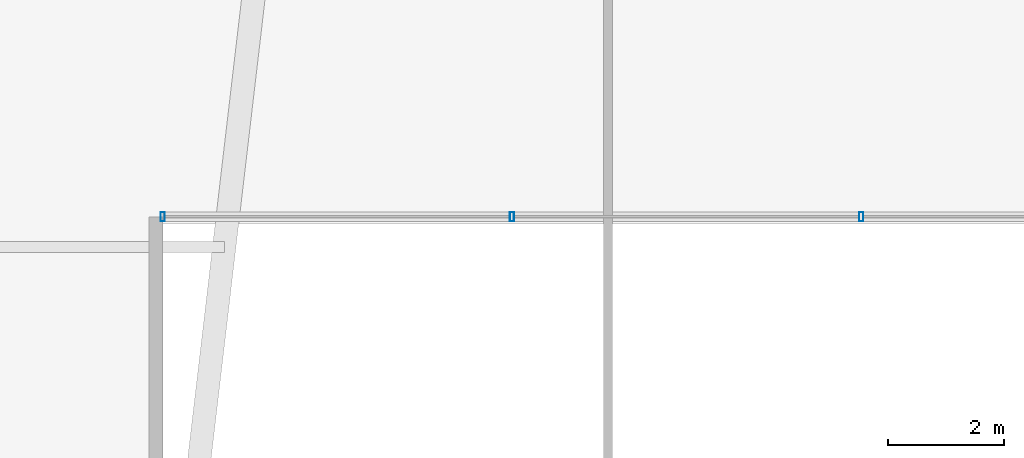
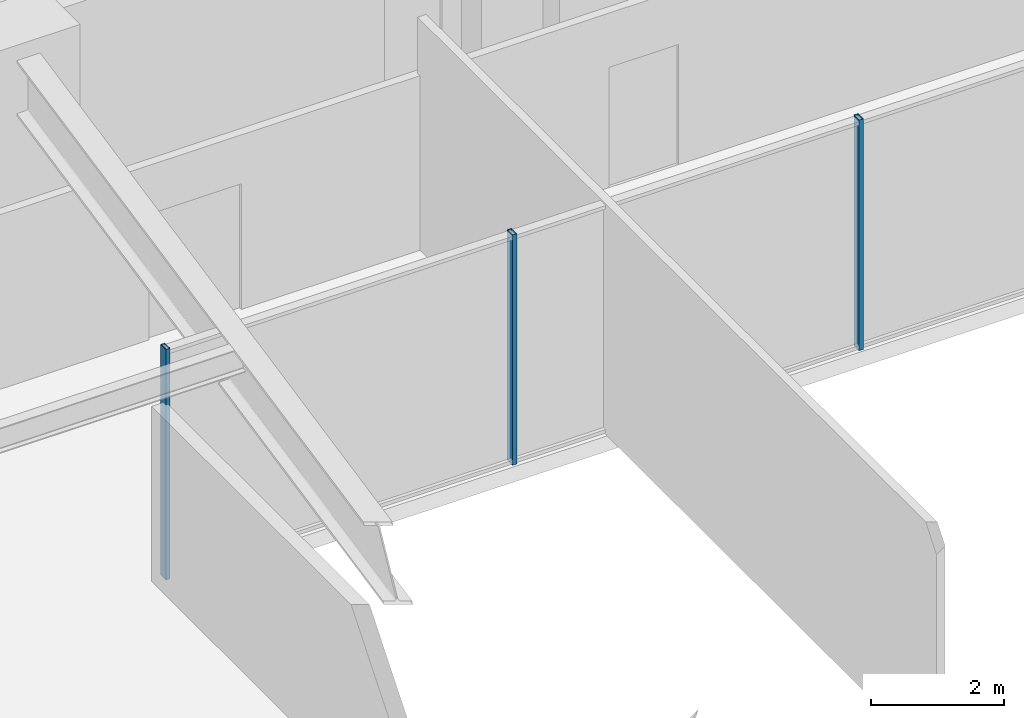
# One storey, part 10 of 47: 3 members, 1 element without a shape of its own.
"""IFC4 building model written with IfcOpenShell, lengths in metres."""

import ifcopenshell
import ifcopenshell.guid

model = None  # the IFC model being written
_history = None  # IfcOwnerHistory: only IFC2X3 demands one
_inside = {}  # id of a spatial element -> (the spatial element, [elements in it])
_under = {}  # id of a project, library or spatial element -> (it, [spatial elements below it])
_declared = {}  # id of a project -> (the project, [libraries it declares])
_typed = {}  # id of a type object -> (the type object, [elements of that type])
_made_of = {}  # id of a material, layer set ... -> (it, [elements and type objects made of it])


def new_model(schema):
    """Start an empty IFC model of exactly this schema.

    Asked for "IFC4X3", IfcOpenShell would pick the latest addendum, in which some entities
    have other attributes; the version numbers below select the first issue.
    IFC2X3 requires an IfcOwnerHistory on every rooted entity: one is made here for all.
    """
    global model, _history
    if schema == "IFC4X3":
        model = ifcopenshell.file(schema_version=(4, 3, 0, 0))
    else:
        model = ifcopenshell.file(schema=schema)
    _inside.clear()
    _under.clear()
    _declared.clear()
    _typed.clear()
    _made_of.clear()
    _history = None
    if model.schema == "IFC2X3":
        org = make("IfcOrganization", Name="unknown")
        user = make(
            "IfcPersonAndOrganization",
            ThePerson=make("IfcPerson", FamilyName="unknown"),
            TheOrganization=org,
        )
        app = make(
            "IfcApplication",
            ApplicationDeveloper=org,
            Version="unknown",
            ApplicationFullName="unknown",
            ApplicationIdentifier="unknown",
        )
        _history = make(
            "IfcOwnerHistory",
            OwningUser=user,
            OwningApplication=app,
            ChangeAction="ADDED",
            CreationDate=0,
        )
    return model


def make(cls, **values):
    """One entity of the class cls with the attributes given. An attribute that is None is left unset."""
    return model.create_entity(
        cls, **{name: value for name, value in values.items() if value is not None}
    )


def rooted(cls, **values):
    """An entity with a GlobalId (a new one), such as an element, a storey or a relation."""
    return make(cls, GlobalId=ifcopenshell.guid.new(), OwnerHistory=_history, **values)


def si_unit(unit_type, name, prefix=None):
    """IfcSIUnit, for example si_unit("LENGTHUNIT", "METRE", prefix="MILLI")."""
    return make("IfcSIUnit", UnitType=unit_type, Prefix=prefix, Name=name)


def assignment(units):
    """IfcUnitAssignment: the units of a project."""
    return None if units is None else make("IfcUnitAssignment", Units=units)


def point(xyz):
    """IfcCartesianPoint."""
    return None if xyz is None else make("IfcCartesianPoint", Coordinates=xyz)


def direction(xyz):
    """IfcDirection."""
    return None if xyz is None else make("IfcDirection", DirectionRatios=xyz)


def frame(location, z_axis=None, x_axis=None):
    """IfcAxis2Placement3D, a coordinate frame: its origin and axes. An axis left out is left unset."""
    return make(
        "IfcAxis2Placement3D",
        Location=point(location),
        Axis=direction(z_axis),
        RefDirection=direction(x_axis),
    )


def frame_2d(location, x_axis=None):
    """IfcAxis2Placement2D, a coordinate frame in the plane: its origin and x axis."""
    return make(
        "IfcAxis2Placement2D", Location=point(location), RefDirection=direction(x_axis)
    )


def origin():
    """The frame at (0, 0, 0) with its axes left unset."""
    return frame((0.0, 0.0, 0.0))


def origin_2d():
    """The frame at (0, 0) in the plane with its x axis left unset."""
    return frame_2d((0.0, 0.0))


def place(relative_to, where):
    """IfcLocalPlacement: puts the frame where relative to a parent placement (None: the world)."""
    return make(
        "IfcLocalPlacement", PlacementRelTo=relative_to, RelativePlacement=where
    )


def context(
    kind, dimensions, precision=None, world=None, true_north=None, identifier=None
):
    """IfcGeometricRepresentationContext, for example the 3D "Model" context."""
    return make(
        "IfcGeometricRepresentationContext",
        ContextIdentifier=identifier,
        ContextType=kind,
        CoordinateSpaceDimension=dimensions,
        Precision=precision,
        WorldCoordinateSystem=world,
        TrueNorth=true_north,
    )


def subcontext(parent, identifier, kind, view, scale=None):
    """IfcGeometricRepresentationSubContext, for example "Body" below "Model"."""
    return make(
        "IfcGeometricRepresentationSubContext",
        ContextIdentifier=identifier,
        ContextType=kind,
        ParentContext=parent,
        TargetScale=scale,
        TargetView=view,
    )


def project(units=None, contexts=None):
    """IfcProject with its units and contexts."""
    return rooted(
        "IfcProject",
        Name="project",
        RepresentationContexts=contexts,
        UnitsInContext=assignment(units),
    )


def spatial(cls, under=None, at=None, **own):
    """A site, building, storey or space (cls), placed at a placement, below another one or the project."""
    s = rooted(cls, ObjectPlacement=at, **own)
    if under is not None:
        _under.setdefault(under.id(), (under, []))[1].append(s)
    return s


def profile(cls, at=None, kind="AREA", **sizes):
    """A parametric profile (cls). Its sizes go by their IFC names, for example OverallWidth=200.0."""
    return make(cls, ProfileType=kind, Position=at, **sizes)


def hollow_rectangle(**sizes):
    """IfcRectangleHollowProfileDef."""
    return profile("IfcRectangleHollowProfileDef", **sizes)


def extrude(swept, where, along, depth):
    """IfcExtrudedAreaSolid: the profile swept, set in the frame where, extruded along a direction by depth."""
    return make(
        "IfcExtrudedAreaSolid",
        SweptArea=swept,
        Position=where,
        ExtrudedDirection=direction(along),
        Depth=depth,
    )


def shape(context_of_items, identifier, shape_type, items):
    """IfcShapeRepresentation: the items that make up one representation, for example the "Body"."""
    return make(
        "IfcShapeRepresentation",
        ContextOfItems=context_of_items,
        RepresentationIdentifier=identifier,
        RepresentationType=shape_type,
        Items=items,
    )


def material(Name=None, Category=None):
    """IfcMaterial."""
    return make("IfcMaterial", Name=Name, Category=Category)


def material_profile(
    of_material, cross_section, Name=None, Category=None, Priority=None
):
    """IfcMaterialProfile: a cross section and its material."""
    return make(
        "IfcMaterialProfile",
        Name=Name,
        Material=of_material,
        Profile=cross_section,
        Priority=Priority,
        Category=Category,
    )


def profile_set(profiles, Name=None, composite=None):
    """IfcMaterialProfileSet."""
    return make(
        "IfcMaterialProfileSet",
        Name=Name,
        MaterialProfiles=profiles,
        CompositeProfile=composite,
    )


def made_of(thing, what):
    """Note that an element or type object is made of a material, layer set ...; save() writes the relation."""
    if what is not None:
        _made_of.setdefault(what.id(), (what, []))[1].append(thing)
    return thing


def type_object(cls, material=None, **own):
    """A type object (cls), such as IfcWallType, which elements share."""
    return made_of(rooted(cls, **own), material)


def element(
    cls,
    number,
    at=None,
    inside=None,
    cuts=None,
    type_object=None,
    material=None,
    context=None,
    identifier="Body",
    shape_type=None,
    held_by="IfcProductDefinitionShape",
    body=None,
    shapes=None,
    **own,
):
    """One element of the class cls, such as IfcWall. Its Tag is "e" and its number.

    at: its placement. inside: the storey or other place that contains it. cuts: it is an
    opening in that element (IfcRelVoidsElement). A single representation is given by context,
    identifier, shape_type and body (its items); several are given by shapes. held_by: the class
    of the entity that holds the representations. save() writes the other relations.
    """
    e = rooted(cls, Tag="e%d" % number, ObjectPlacement=at, **own)
    if body is not None:
        shapes = [shape(context, identifier, shape_type, body)]
    if shapes is not None:
        e.Representation = make(held_by, Representations=shapes)
    if inside is not None:
        _inside.setdefault(inside.id(), (inside, []))[1].append(e)
    if cuts is not None:
        rooted(
            "IfcRelVoidsElement", RelatingBuildingElement=cuts, RelatedOpeningElement=e
        )
    if type_object is not None:
        _typed.setdefault(type_object.id(), (type_object, []))[1].append(e)
    return made_of(e, material)


def aggregate(whole, parts):
    """IfcRelAggregates: a whole, such as a stair, and the parts it consists of."""
    return rooted("IfcRelAggregates", RelatingObject=whole, RelatedObjects=parts)


def save(model, path):
    """Write the relations noted so far, then the file.

    IfcRelAggregates (storeys below a building ...), IfcRelContainedInSpatialStructure (elements
    in a storey), IfcRelDefinesByType, IfcRelAssociatesMaterial and IfcRelDeclares: one each for
    every whole, place, type object, material and project.
    """
    for whole, parts in _under.values():
        aggregate(whole, parts)
    for where, things in _inside.values():
        rooted(
            "IfcRelContainedInSpatialStructure",
            RelatedElements=things,
            RelatingStructure=where,
        )
    for kind, things in _typed.values():
        rooted("IfcRelDefinesByType", RelatedObjects=things, RelatingType=kind)
    for what, things in _made_of.values():
        rooted("IfcRelAssociatesMaterial", RelatedObjects=things, RelatingMaterial=what)
    for by, libraries in _declared.values():
        rooted("IfcRelDeclares", RelatingContext=by, RelatedDefinitions=libraries)
    model.write(path)


model = new_model("IFC4")

# Units and contexts
model_context = context("Model", 3, precision=1e-05, world=origin(), true_north=direction((0.0, 1.0)))
body_context = subcontext(model_context, "Body", "Model", "MODEL_VIEW")
ifc_project = project(units=[si_unit("LENGTHUNIT", "METRE"), si_unit("AREAUNIT", "SQUARE_METRE"), si_unit("VOLUMEUNIT", "CUBIC_METRE"), si_unit("PLANEANGLEUNIT", "RADIAN"), si_unit("MASSUNIT", "GRAM", prefix="KILO")], contexts=[model_context])

# Site, building, storey
site_placement = place(None, origin())
site = spatial("IfcSite", under=ifc_project, at=site_placement, CompositionType="ELEMENT")
building_placement = place(site_placement, origin())
building = spatial("IfcBuilding", under=site, at=building_placement, Name="Kolvaren Belvedere", CompositionType="ELEMENT")
storey_placement = place(building_placement, frame((0.0, 0.0, 5.5)))
storey = spatial("IfcBuildingStorey", under=building, at=storey_placement, Name="L02", CompositionType="ELEMENT", Elevation=5.5)

# Curtain wall, members
ifc_material_1 = material(Name="Anodised pale-metal aluminium AA 6063-T6", Category="aluminium")
curtain_wall_type = type_object("IfcCurtainWallType", Name="CW-POD-A", PredefinedType="NOTDEFINED", material=ifc_material_1)
curtain_wall_placement = place(storey_placement, origin())
curtain_wall = element("IfcCurtainWall", 1, at=curtain_wall_placement, inside=storey, type_object=curtain_wall_type, Name="L02 Unitised Curtain Wall FCW-L02-SEG3", PredefinedType="NOTDEFINED")
ifc_material_2 = material(Name="Anodised pale-metal aluminium AA 6063-T6", Category="aluminium")
ifc_material_profile = material_profile(ifc_material_2, hollow_rectangle(XDim=0.074951171875, YDim=0.159912109375, WallThickness=0.00439453125, at=origin_2d()), Name="ALU-MUL-160X75")
ifc_profile_set = profile_set([ifc_material_profile], Name="Anodised pale-metal aluminium AA 6063-T6")
member_type = type_object("IfcMemberType", Name="CW-MUL-160", PredefinedType="MULLION", material=ifc_profile_set)
member_1_placement = place(storey_placement, frame((0.0, -18.280029296875, 0.0), z_axis=(0.0, 0.0, 1.0), x_axis=(1.0, 0.0, 0.0)))
member_1 = element("IfcMember", 2, at=member_1_placement, type_object=member_type, Name="FCW-L02-SEG3 Unitised Mullion 3", PredefinedType="MULLION", context=body_context, shape_type="SweptSolid", body=[
    extrude(hollow_rectangle(XDim=0.074951171875, YDim=0.159912109375, WallThickness=0.00439453125, at=origin_2d()), origin(), (0.0, 0.0, 1.0), 4.219970703125),
])
member_2_placement = place(storey_placement, frame((-6.0, -18.280029296875, 0.0), z_axis=(0.0, 0.0, 1.0), x_axis=(1.0, 0.0, 0.0)))
member_2 = element("IfcMember", 3, at=member_2_placement, type_object=member_type, Name="FCW-L02-SEG3 Unitised Mullion 4", PredefinedType="MULLION", context=body_context, shape_type="SweptSolid", body=[
    extrude(hollow_rectangle(XDim=0.074951171875, YDim=0.159912109375, WallThickness=0.00439453125, at=origin_2d()), origin(), (0.0, 0.0, 1.0), 4.219970703125),
])
member_3_placement = place(storey_placement, frame((-12.0, -18.280029296875, 0.0), z_axis=(0.0, 0.0, 1.0), x_axis=(1.0, 0.0, 0.0)))
member_3 = element("IfcMember", 4, at=member_3_placement, type_object=member_type, Name="FCW-L02-SEG3 Unitised Mullion 5", PredefinedType="MULLION", context=body_context, shape_type="SweptSolid", body=[
    extrude(hollow_rectangle(XDim=0.074951171875, YDim=0.159912109375, WallThickness=0.00439453125, at=origin_2d()), origin(), (0.0, 0.0, 1.0), 4.219970703125),
])
aggregate(curtain_wall, [member_1, member_2, member_3])

save(model, "model.ifc")
